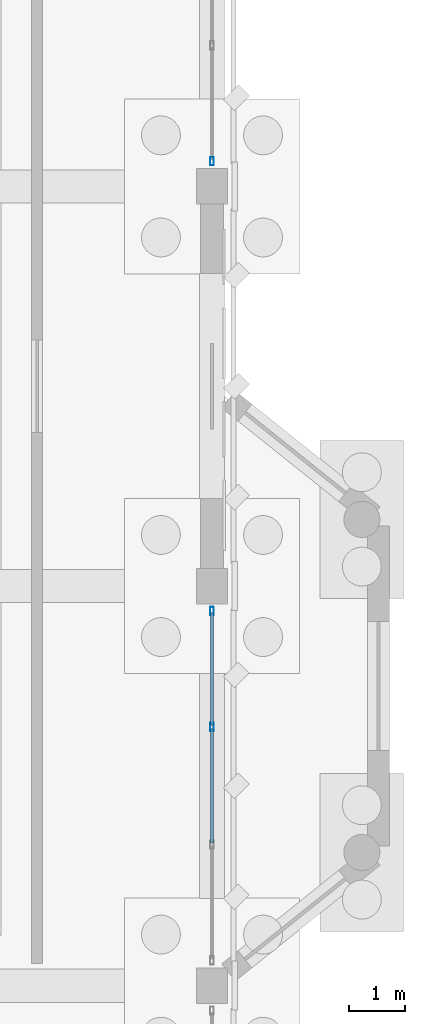
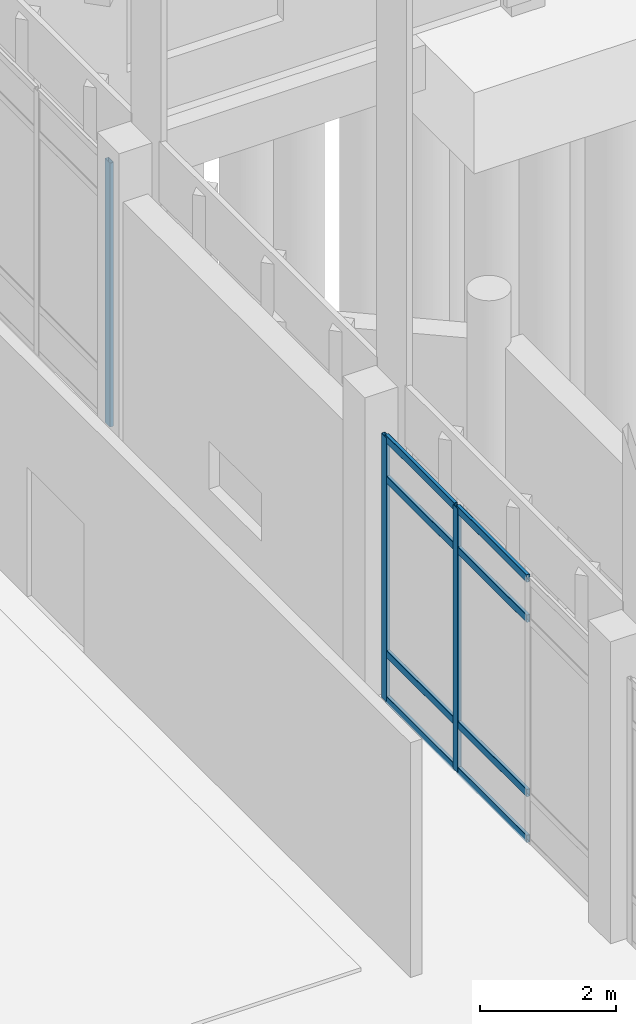
# One storey, part 39 of 109: 11 members, 2 elements without a shape of their own.
"""IFC4 building model written with IfcOpenShell, lengths in metres."""

import ifcopenshell
import ifcopenshell.guid

model = None  # the IFC model being written
_history = None  # IfcOwnerHistory: only IFC2X3 demands one
_inside = {}  # id of a spatial element -> (the spatial element, [elements in it])
_under = {}  # id of a project, library or spatial element -> (it, [spatial elements below it])
_declared = {}  # id of a project -> (the project, [libraries it declares])
_typed = {}  # id of a type object -> (the type object, [elements of that type])
_made_of = {}  # id of a material, layer set ... -> (it, [elements and type objects made of it])


def new_model(schema):
    """Start an empty IFC model of exactly this schema.

    Asked for "IFC4X3", IfcOpenShell would pick the latest addendum, in which some entities
    have other attributes; the version numbers below select the first issue.
    IFC2X3 requires an IfcOwnerHistory on every rooted entity: one is made here for all.
    """
    global model, _history
    if schema == "IFC4X3":
        model = ifcopenshell.file(schema_version=(4, 3, 0, 0))
    else:
        model = ifcopenshell.file(schema=schema)
    _inside.clear()
    _under.clear()
    _declared.clear()
    _typed.clear()
    _made_of.clear()
    _history = None
    if model.schema == "IFC2X3":
        org = make("IfcOrganization", Name="unknown")
        user = make(
            "IfcPersonAndOrganization",
            ThePerson=make("IfcPerson", FamilyName="unknown"),
            TheOrganization=org,
        )
        app = make(
            "IfcApplication",
            ApplicationDeveloper=org,
            Version="unknown",
            ApplicationFullName="unknown",
            ApplicationIdentifier="unknown",
        )
        _history = make(
            "IfcOwnerHistory",
            OwningUser=user,
            OwningApplication=app,
            ChangeAction="ADDED",
            CreationDate=0,
        )
    return model


def make(cls, **values):
    """One entity of the class cls with the attributes given. An attribute that is None is left unset."""
    return model.create_entity(
        cls, **{name: value for name, value in values.items() if value is not None}
    )


def rooted(cls, **values):
    """An entity with a GlobalId (a new one), such as an element, a storey or a relation."""
    return make(cls, GlobalId=ifcopenshell.guid.new(), OwnerHistory=_history, **values)


def si_unit(unit_type, name, prefix=None):
    """IfcSIUnit, for example si_unit("LENGTHUNIT", "METRE", prefix="MILLI")."""
    return make("IfcSIUnit", UnitType=unit_type, Prefix=prefix, Name=name)


def assignment(units):
    """IfcUnitAssignment: the units of a project."""
    return None if units is None else make("IfcUnitAssignment", Units=units)


def point(xyz):
    """IfcCartesianPoint."""
    return None if xyz is None else make("IfcCartesianPoint", Coordinates=xyz)


def direction(xyz):
    """IfcDirection."""
    return None if xyz is None else make("IfcDirection", DirectionRatios=xyz)


def frame(location, z_axis=None, x_axis=None):
    """IfcAxis2Placement3D, a coordinate frame: its origin and axes. An axis left out is left unset."""
    return make(
        "IfcAxis2Placement3D",
        Location=point(location),
        Axis=direction(z_axis),
        RefDirection=direction(x_axis),
    )


def frame_2d(location, x_axis=None):
    """IfcAxis2Placement2D, a coordinate frame in the plane: its origin and x axis."""
    return make(
        "IfcAxis2Placement2D", Location=point(location), RefDirection=direction(x_axis)
    )


def origin():
    """The frame at (0, 0, 0) with its axes left unset."""
    return frame((0.0, 0.0, 0.0))


def origin_2d():
    """The frame at (0, 0) in the plane with its x axis left unset."""
    return frame_2d((0.0, 0.0))


def place(relative_to, where):
    """IfcLocalPlacement: puts the frame where relative to a parent placement (None: the world)."""
    return make(
        "IfcLocalPlacement", PlacementRelTo=relative_to, RelativePlacement=where
    )


def context(
    kind, dimensions, precision=None, world=None, true_north=None, identifier=None
):
    """IfcGeometricRepresentationContext, for example the 3D "Model" context."""
    return make(
        "IfcGeometricRepresentationContext",
        ContextIdentifier=identifier,
        ContextType=kind,
        CoordinateSpaceDimension=dimensions,
        Precision=precision,
        WorldCoordinateSystem=world,
        TrueNorth=true_north,
    )


def subcontext(parent, identifier, kind, view, scale=None):
    """IfcGeometricRepresentationSubContext, for example "Body" below "Model"."""
    return make(
        "IfcGeometricRepresentationSubContext",
        ContextIdentifier=identifier,
        ContextType=kind,
        ParentContext=parent,
        TargetScale=scale,
        TargetView=view,
    )


def project(units=None, contexts=None):
    """IfcProject with its units and contexts."""
    return rooted(
        "IfcProject",
        Name="project",
        RepresentationContexts=contexts,
        UnitsInContext=assignment(units),
    )


def spatial(cls, under=None, at=None, **own):
    """A site, building, storey or space (cls), placed at a placement, below another one or the project."""
    s = rooted(cls, ObjectPlacement=at, **own)
    if under is not None:
        _under.setdefault(under.id(), (under, []))[1].append(s)
    return s


def profile(cls, at=None, kind="AREA", **sizes):
    """A parametric profile (cls). Its sizes go by their IFC names, for example OverallWidth=200.0."""
    return make(cls, ProfileType=kind, Position=at, **sizes)


def hollow_rectangle(**sizes):
    """IfcRectangleHollowProfileDef."""
    return profile("IfcRectangleHollowProfileDef", **sizes)


def extrude(swept, where, along, depth):
    """IfcExtrudedAreaSolid: the profile swept, set in the frame where, extruded along a direction by depth."""
    return make(
        "IfcExtrudedAreaSolid",
        SweptArea=swept,
        Position=where,
        ExtrudedDirection=direction(along),
        Depth=depth,
    )


def shape(context_of_items, identifier, shape_type, items):
    """IfcShapeRepresentation: the items that make up one representation, for example the "Body"."""
    return make(
        "IfcShapeRepresentation",
        ContextOfItems=context_of_items,
        RepresentationIdentifier=identifier,
        RepresentationType=shape_type,
        Items=items,
    )


def material(Name=None, Category=None):
    """IfcMaterial."""
    return make("IfcMaterial", Name=Name, Category=Category)


def material_profile(
    of_material, cross_section, Name=None, Category=None, Priority=None
):
    """IfcMaterialProfile: a cross section and its material."""
    return make(
        "IfcMaterialProfile",
        Name=Name,
        Material=of_material,
        Profile=cross_section,
        Priority=Priority,
        Category=Category,
    )


def profile_set(profiles, Name=None, composite=None):
    """IfcMaterialProfileSet."""
    return make(
        "IfcMaterialProfileSet",
        Name=Name,
        MaterialProfiles=profiles,
        CompositeProfile=composite,
    )


def made_of(thing, what):
    """Note that an element or type object is made of a material, layer set ...; save() writes the relation."""
    if what is not None:
        _made_of.setdefault(what.id(), (what, []))[1].append(thing)
    return thing


def type_object(cls, material=None, **own):
    """A type object (cls), such as IfcWallType, which elements share."""
    return made_of(rooted(cls, **own), material)


def element(
    cls,
    number,
    at=None,
    inside=None,
    cuts=None,
    type_object=None,
    material=None,
    context=None,
    identifier="Body",
    shape_type=None,
    held_by="IfcProductDefinitionShape",
    body=None,
    shapes=None,
    **own,
):
    """One element of the class cls, such as IfcWall. Its Tag is "e" and its number.

    at: its placement. inside: the storey or other place that contains it. cuts: it is an
    opening in that element (IfcRelVoidsElement). A single representation is given by context,
    identifier, shape_type and body (its items); several are given by shapes. held_by: the class
    of the entity that holds the representations. save() writes the other relations.
    """
    e = rooted(cls, Tag="e%d" % number, ObjectPlacement=at, **own)
    if body is not None:
        shapes = [shape(context, identifier, shape_type, body)]
    if shapes is not None:
        e.Representation = make(held_by, Representations=shapes)
    if inside is not None:
        _inside.setdefault(inside.id(), (inside, []))[1].append(e)
    if cuts is not None:
        rooted(
            "IfcRelVoidsElement", RelatingBuildingElement=cuts, RelatedOpeningElement=e
        )
    if type_object is not None:
        _typed.setdefault(type_object.id(), (type_object, []))[1].append(e)
    return made_of(e, material)


def aggregate(whole, parts):
    """IfcRelAggregates: a whole, such as a stair, and the parts it consists of."""
    return rooted("IfcRelAggregates", RelatingObject=whole, RelatedObjects=parts)


def save(model, path):
    """Write the relations noted so far, then the file.

    IfcRelAggregates (storeys below a building ...), IfcRelContainedInSpatialStructure (elements
    in a storey), IfcRelDefinesByType, IfcRelAssociatesMaterial and IfcRelDeclares: one each for
    every whole, place, type object, material and project.
    """
    for whole, parts in _under.values():
        aggregate(whole, parts)
    for where, things in _inside.values():
        rooted(
            "IfcRelContainedInSpatialStructure",
            RelatedElements=things,
            RelatingStructure=where,
        )
    for kind, things in _typed.values():
        rooted("IfcRelDefinesByType", RelatedObjects=things, RelatingType=kind)
    for what, things in _made_of.values():
        rooted("IfcRelAssociatesMaterial", RelatedObjects=things, RelatingMaterial=what)
    for by, libraries in _declared.values():
        rooted("IfcRelDeclares", RelatingContext=by, RelatedDefinitions=libraries)
    model.write(path)


model = new_model("IFC4")

# Units and contexts
model_context = context("Model", 3, precision=1e-05, world=origin(), true_north=direction((0.0, 1.0)))
body_context = subcontext(model_context, "Body", "Model", "MODEL_VIEW")
ifc_project = project(units=[si_unit("LENGTHUNIT", "METRE"), si_unit("AREAUNIT", "SQUARE_METRE"), si_unit("VOLUMEUNIT", "CUBIC_METRE"), si_unit("PLANEANGLEUNIT", "RADIAN"), si_unit("MASSUNIT", "GRAM", prefix="KILO")], contexts=[model_context])

# Site, building, storey
site_placement = place(None, origin())
site = spatial("IfcSite", under=ifc_project, at=site_placement, CompositionType="ELEMENT")
building_placement = place(site_placement, origin())
building = spatial("IfcBuilding", under=site, at=building_placement, Name="Lusvemor Sports Hall", CompositionType="ELEMENT")
storey_placement = place(building_placement, origin())
storey = spatial("IfcBuildingStorey", under=building, at=storey_placement, Name="L00", CompositionType="ELEMENT", Elevation=0.0)

# Curtain wall, members
ifc_material_1 = material(Name="Thermally broken bronze-anodized aluminium", Category="aluminium")
curtain_wall_type = type_object("IfcCurtainWallType", Name="CW_WING_B", PredefinedType="NOTDEFINED", material=ifc_material_1)
curtain_wall_1_placement = place(storey_placement, origin())
curtain_wall_1 = element("IfcCurtainWall", 1, at=curtain_wall_1_placement, inside=storey, type_object=curtain_wall_type, Name="Curtain Wall CW-L00-E-4-4", PredefinedType="NOTDEFINED")
ifc_material_2 = material(Name="Thermally broken bronze-anodized aluminium", Category="aluminium")
ifc_material_profile_1 = material_profile(ifc_material_2, hollow_rectangle(XDim=0.06494140625, YDim=0.14990234375, WallThickness=0.00390625, InnerFilletRadius=0.00390625, OuterFilletRadius=0.008056640625, at=origin_2d()), Name="CWMUL150x65x4")
ifc_profile_set_1 = profile_set([ifc_material_profile_1], Name="Thermally broken bronze-anodized aluminium")
member_type_1 = type_object("IfcMemberType", Name="CW_MUL_B", PredefinedType="MULLION", material=ifc_profile_set_1)
member_1_placement = place(storey_placement, frame((21.60009765625, 82.347412109375, 0.0), z_axis=(0.0, 0.0, 1.0), x_axis=(1.0, 0.0, 0.0)))
member_1 = element("IfcMember", 2, at=member_1_placement, type_object=member_type_1, Name="CW02 mullion 1", PredefinedType="MULLION", context=body_context, shape_type="SweptSolid", body=[
    extrude(hollow_rectangle(XDim=0.06494140625, YDim=0.14990234375, WallThickness=0.00390625, InnerFilletRadius=0.00390625, OuterFilletRadius=0.008056640625, at=origin_2d()), origin(), (0.0, 0.0, 1.0), 4.719970703125),
])
member_2_placement = place(storey_placement, frame((21.60009765625, 80.260009765625, 0.0), z_axis=(0.0, 0.0, 1.0), x_axis=(1.0, 0.0, 0.0)))
member_2 = element("IfcMember", 3, at=member_2_placement, type_object=member_type_1, Name="CW02 mullion 2", PredefinedType="MULLION", context=body_context, shape_type="SweptSolid", body=[
    extrude(hollow_rectangle(XDim=0.06494140625, YDim=0.14990234375, WallThickness=0.00390625, InnerFilletRadius=0.00390625, OuterFilletRadius=0.008056640625, at=origin_2d()), origin(), (0.0, 0.0, 1.0), 4.719970703125),
])

# Curtain wall, member
curtain_wall_2_placement = place(storey_placement, origin())
curtain_wall_2 = element("IfcCurtainWall", 4, at=curtain_wall_2_placement, inside=storey, type_object=curtain_wall_type, Name="Curtain Wall CW-L00-E-4-6", PredefinedType="NOTDEFINED")
member_3_placement = place(storey_placement, frame((21.60009765625, 90.452392578125, 0.0), z_axis=(0.0, 0.0, 1.0), x_axis=(1.0, 0.0, 0.0)))
member_3 = element("IfcMember", 5, at=member_3_placement, type_object=member_type_1, Name="CW02 mullion 4", PredefinedType="MULLION", context=body_context, shape_type="SweptSolid", body=[
    extrude(hollow_rectangle(XDim=0.06494140625, YDim=0.14990234375, WallThickness=0.00390625, InnerFilletRadius=0.00390625, OuterFilletRadius=0.008056640625, at=origin_2d()), origin(), (0.0, 0.0, 1.0), 4.719970703125),
])
aggregate(curtain_wall_2, [member_3])

# Member
ifc_material_3 = material(Name="Thermally broken bronze-anodized aluminium", Category="aluminium")
ifc_material_profile_2 = material_profile(ifc_material_3, hollow_rectangle(XDim=0.06005859375, YDim=0.135009765625, WallThickness=0.00390625, InnerFilletRadius=0.00390625, OuterFilletRadius=0.008056640625, at=origin_2d()), Name="CWTRN135x60x4")
ifc_profile_set_2 = profile_set([ifc_material_profile_2], Name="Thermally broken bronze-anodized aluminium")
member_type_2 = type_object("IfcMemberType", Name="CW_TRN_B", PredefinedType="USERDEFINED", material=ifc_profile_set_2)
member_4_placement = place(storey_placement, frame((21.60009765625, 82.31494140625, 0.030029296875), z_axis=(0.0, -1.0, 0.0), x_axis=(1.0, 0.0, 0.0)))
member_4 = element("IfcMember", 6, at=member_4_placement, type_object=member_type_2, Name="CW02 transom 1.1", ObjectType="TRANSOM", PredefinedType="USERDEFINED", context=body_context, shape_type="SweptSolid", body=[
    extrude(hollow_rectangle(XDim=0.06005859375, YDim=0.135009765625, WallThickness=0.00390625, InnerFilletRadius=0.00390625, OuterFilletRadius=0.008056640625, at=origin_2d()), origin(), (0.0, 0.0, 1.0), 2.0224609375),
])

member_5_placement = place(storey_placement, frame((21.60009765625, 82.31494140625, 0.85009765625), z_axis=(0.0, -1.0, 0.0), x_axis=(1.0, 0.0, 0.0)))
member_5 = element("IfcMember", 7, at=member_5_placement, type_object=member_type_2, Name="CW02 transom 1.2", ObjectType="TRANSOM", PredefinedType="USERDEFINED", context=body_context, shape_type="SweptSolid", body=[
    extrude(hollow_rectangle(XDim=0.06005859375, YDim=0.135009765625, WallThickness=0.00390625, InnerFilletRadius=0.00390625, OuterFilletRadius=0.008056640625, at=origin_2d()), origin(), (0.0, 0.0, 1.0), 2.0224609375),
])

member_6_placement = place(storey_placement, frame((21.60009765625, 82.31494140625, 3.969970703125), z_axis=(0.0, -1.0, 0.0), x_axis=(1.0, 0.0, 0.0)))
member_6 = element("IfcMember", 8, at=member_6_placement, type_object=member_type_2, Name="CW02 transom 1.3", ObjectType="TRANSOM", PredefinedType="USERDEFINED", context=body_context, shape_type="SweptSolid", body=[
    extrude(hollow_rectangle(XDim=0.06005859375, YDim=0.135009765625, WallThickness=0.00390625, InnerFilletRadius=0.00390625, OuterFilletRadius=0.008056640625, at=origin_2d()), origin(), (0.0, 0.0, 1.0), 2.0224609375),
])

member_7_placement = place(storey_placement, frame((21.60009765625, 82.31494140625, 4.68994140625), z_axis=(0.0, -1.0, 0.0), x_axis=(1.0, 0.0, 0.0)))
member_7 = element("IfcMember", 9, at=member_7_placement, type_object=member_type_2, Name="CW02 transom 1.4", ObjectType="TRANSOM", PredefinedType="USERDEFINED", context=body_context, shape_type="SweptSolid", body=[
    extrude(hollow_rectangle(XDim=0.06005859375, YDim=0.135009765625, WallThickness=0.00390625, InnerFilletRadius=0.00390625, OuterFilletRadius=0.008056640625, at=origin_2d()), origin(), (0.0, 0.0, 1.0), 2.0224609375),
])

member_8_placement = place(storey_placement, frame((21.60009765625, 80.2275390625, 0.030029296875), z_axis=(0.0, -1.0, 0.0), x_axis=(1.0, 0.0, 0.0)))
member_8 = element("IfcMember", 10, at=member_8_placement, type_object=member_type_2, Name="CW02 transom 2.1", ObjectType="TRANSOM", PredefinedType="USERDEFINED", context=body_context, shape_type="SweptSolid", body=[
    extrude(hollow_rectangle(XDim=0.06005859375, YDim=0.135009765625, WallThickness=0.00390625, InnerFilletRadius=0.00390625, OuterFilletRadius=0.008056640625, at=origin_2d()), origin(), (0.0, 0.0, 1.0), 2.054931640625),
])

member_9_placement = place(storey_placement, frame((21.60009765625, 80.2275390625, 0.85009765625), z_axis=(0.0, -1.0, 0.0), x_axis=(1.0, 0.0, 0.0)))
member_9 = element("IfcMember", 11, at=member_9_placement, type_object=member_type_2, Name="CW02 transom 2.2", ObjectType="TRANSOM", PredefinedType="USERDEFINED", context=body_context, shape_type="SweptSolid", body=[
    extrude(hollow_rectangle(XDim=0.06005859375, YDim=0.135009765625, WallThickness=0.00390625, InnerFilletRadius=0.00390625, OuterFilletRadius=0.008056640625, at=origin_2d()), origin(), (0.0, 0.0, 1.0), 2.054931640625),
])

member_10_placement = place(storey_placement, frame((21.60009765625, 80.2275390625, 3.969970703125), z_axis=(0.0, -1.0, 0.0), x_axis=(1.0, 0.0, 0.0)))
member_10 = element("IfcMember", 12, at=member_10_placement, type_object=member_type_2, Name="CW02 transom 2.3", ObjectType="TRANSOM", PredefinedType="USERDEFINED", context=body_context, shape_type="SweptSolid", body=[
    extrude(hollow_rectangle(XDim=0.06005859375, YDim=0.135009765625, WallThickness=0.00390625, InnerFilletRadius=0.00390625, OuterFilletRadius=0.008056640625, at=origin_2d()), origin(), (0.0, 0.0, 1.0), 2.054931640625),
])

member_11_placement = place(storey_placement, frame((21.60009765625, 80.2275390625, 4.68994140625), z_axis=(0.0, -1.0, 0.0), x_axis=(1.0, 0.0, 0.0)))
member_11 = element("IfcMember", 13, at=member_11_placement, type_object=member_type_2, Name="CW02 transom 2.4", ObjectType="TRANSOM", PredefinedType="USERDEFINED", context=body_context, shape_type="SweptSolid", body=[
    extrude(hollow_rectangle(XDim=0.06005859375, YDim=0.135009765625, WallThickness=0.00390625, InnerFilletRadius=0.00390625, OuterFilletRadius=0.008056640625, at=origin_2d()), origin(), (0.0, 0.0, 1.0), 2.054931640625),
])

aggregate(curtain_wall_1, [member_1, member_2, member_4, member_5, member_6, member_7, member_8, member_9, member_10, member_11])

save(model, "model.ifc")
